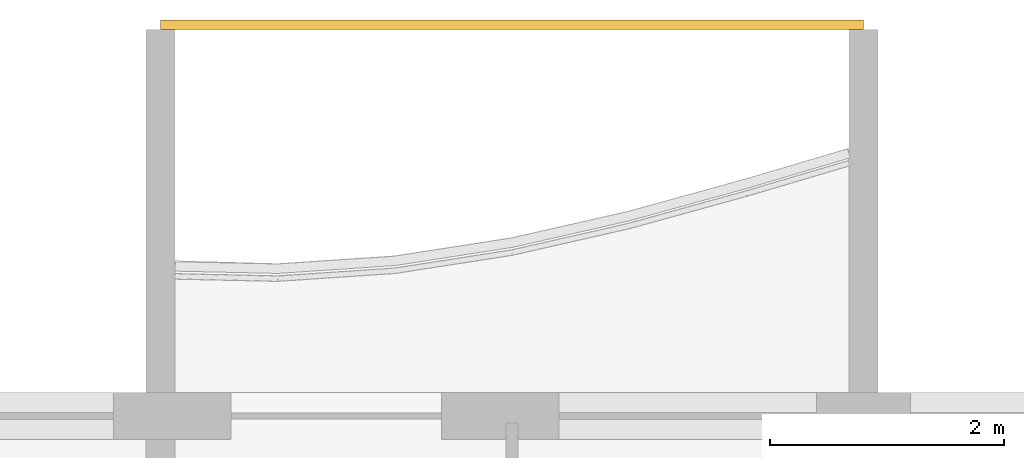
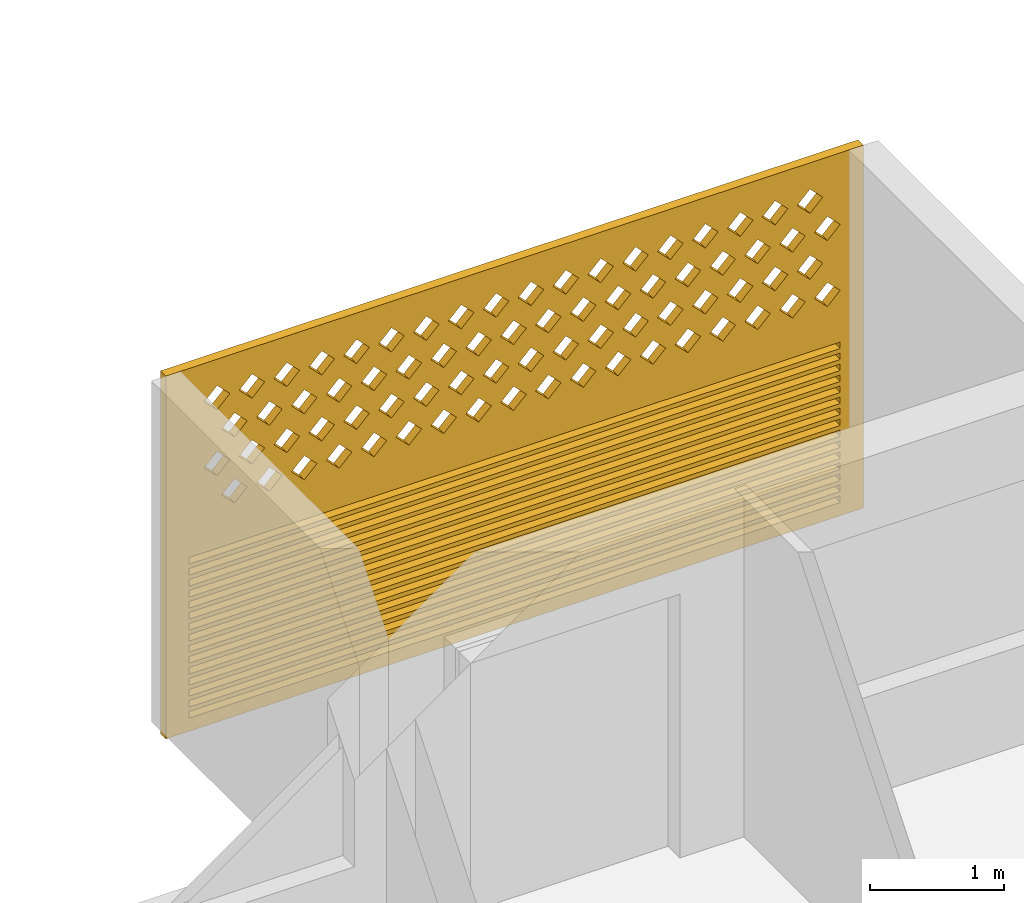
# One storey, part 20 of 28: 1 covering.
"""IFC4 building model written with IfcOpenShell, lengths in metres."""

from ifc_helpers import new_model, si_unit, direction, frame, origin, place, context, subcontext, project, spatial, polyline, outline, extrude, source, transform, mapped, material, material_profile, profile_set, type_object, element, save


model = new_model("IFC4")

# Units and contexts
model_context = context("Model", 3, precision=1e-05, world=origin(), true_north=direction((0.0, 1.0)))
body_context = subcontext(model_context, "Body", "Model", "MODEL_VIEW")
ifc_project = project(units=[si_unit("LENGTHUNIT", "METRE"), si_unit("AREAUNIT", "SQUARE_METRE"), si_unit("VOLUMEUNIT", "CUBIC_METRE"), si_unit("PLANEANGLEUNIT", "RADIAN"), si_unit("MASSUNIT", "GRAM", prefix="KILO")], contexts=[model_context])

# Site, building, storey
site_placement = place(None, origin())
site = spatial("IfcSite", under=ifc_project, at=site_placement, CompositionType="ELEMENT")
building_placement = place(site_placement, origin())
building = spatial("IfcBuilding", under=site, at=building_placement, Name="Poui Terraces", CompositionType="ELEMENT")
storey_placement = place(building_placement, frame((0.0, 0.0, 185.10009765625)))
storey = spatial("IfcBuildingStorey", under=building, at=storey_placement, Name="L51", CompositionType="ELEMENT", Elevation=185.10009765625)

# Covering
ifc_material = material(Name="Terracotta screen", Category="masonry")
ifc_material_profile = material_profile(ifc_material, outline(polyline([(-3.0, -1.64990234375), (3.0, -1.64990234375), (3.0, 1.64990234375), (-3.0, 1.64990234375), (-3.0, -1.64990234375)]), holes=[polyline([(-2.800048828125, 0.39990234375), (-2.68994140625, 0.2900390625), (-2.580078125, 0.39990234375), (-2.68994140625, 0.510009765625), (-2.800048828125, 0.39990234375)]), polyline([(-2.5, 0.39990234375), (-2.389892578125, 0.2900390625), (-2.280029296875, 0.39990234375), (-2.389892578125, 0.510009765625), (-2.5, 0.39990234375)]), polyline([(-2.199951171875, 0.39990234375), (-2.090087890625, 0.2900390625), (-1.97998046875, 0.39990234375), (-2.090087890625, 0.510009765625), (-2.199951171875, 0.39990234375)]), polyline([(-1.89990234375, 0.39990234375), (-1.7900390625, 0.2900390625), (-1.679931640625, 0.39990234375), (-1.7900390625, 0.510009765625), (-1.89990234375, 0.39990234375)]), polyline([(-1.60009765625, 0.39990234375), (-1.489990234375, 0.2900390625), (-1.3798828125, 0.39990234375), (-1.489990234375, 0.510009765625), (-1.60009765625, 0.39990234375)]), polyline([(-1.300048828125, 0.39990234375), (-1.18994140625, 0.2900390625), (-1.080078125, 0.39990234375), (-1.18994140625, 0.510009765625), (-1.300048828125, 0.39990234375)]), polyline([(-1.0, 0.39990234375), (-0.889892578125, 0.2900390625), (-0.780029296875, 0.39990234375), (-0.889892578125, 0.510009765625), (-1.0, 0.39990234375)]), polyline([(-0.699951171875, 0.39990234375), (-0.590087890625, 0.2900390625), (-0.47998046875, 0.39990234375), (-0.590087890625, 0.510009765625), (-0.699951171875, 0.39990234375)]), polyline([(-0.39990234375, 0.39990234375), (-0.2900390625, 0.2900390625), (-0.179931640625, 0.39990234375), (-0.2900390625, 0.510009765625), (-0.39990234375, 0.39990234375)]), polyline([(-0.10009765625, 0.39990234375), (0.010009765625, 0.2900390625), (0.1201171875, 0.39990234375), (0.010009765625, 0.510009765625), (-0.10009765625, 0.39990234375)]), polyline([(0.199951171875, 0.39990234375), (0.31005859375, 0.2900390625), (0.419921875, 0.39990234375), (0.31005859375, 0.510009765625), (0.199951171875, 0.39990234375)]), polyline([(0.5, 0.39990234375), (0.610107421875, 0.2900390625), (0.719970703125, 0.39990234375), (0.610107421875, 0.510009765625), (0.5, 0.39990234375)]), polyline([(0.800048828125, 0.39990234375), (0.909912109375, 0.2900390625), (1.02001953125, 0.39990234375), (0.909912109375, 0.510009765625), (0.800048828125, 0.39990234375)]), polyline([(1.10009765625, 0.39990234375), (1.2099609375, 0.2900390625), (1.320068359375, 0.39990234375), (1.2099609375, 0.510009765625), (1.10009765625, 0.39990234375)]), polyline([(1.39990234375, 0.39990234375), (1.510009765625, 0.2900390625), (1.6201171875, 0.39990234375), (1.510009765625, 0.510009765625), (1.39990234375, 0.39990234375)]), polyline([(1.699951171875, 0.39990234375), (1.81005859375, 0.2900390625), (1.919921875, 0.39990234375), (1.81005859375, 0.510009765625), (1.699951171875, 0.39990234375)]), polyline([(2.0, 0.39990234375), (2.110107421875, 0.2900390625), (2.219970703125, 0.39990234375), (2.110107421875, 0.510009765625), (2.0, 0.39990234375)]), polyline([(2.300048828125, 0.39990234375), (2.409912109375, 0.2900390625), (2.52001953125, 0.39990234375), (2.409912109375, 0.510009765625), (2.300048828125, 0.39990234375)]), polyline([(-2.64990234375, 0.699951171875), (-2.5400390625, 0.590087890625), (-2.429931640625, 0.699951171875), (-2.5400390625, 0.81005859375), (-2.64990234375, 0.699951171875)]), polyline([(-2.35009765625, 0.699951171875), (-2.239990234375, 0.590087890625), (-2.1298828125, 0.699951171875), (-2.239990234375, 0.81005859375), (-2.35009765625, 0.699951171875)]), polyline([(-2.050048828125, 0.699951171875), (-1.93994140625, 0.590087890625), (-1.830078125, 0.699951171875), (-1.93994140625, 0.81005859375), (-2.050048828125, 0.699951171875)]), polyline([(-1.75, 0.699951171875), (-1.639892578125, 0.590087890625), (-1.530029296875, 0.699951171875), (-1.639892578125, 0.81005859375), (-1.75, 0.699951171875)]), polyline([(-1.449951171875, 0.699951171875), (-1.340087890625, 0.590087890625), (-1.22998046875, 0.699951171875), (-1.340087890625, 0.81005859375), (-1.449951171875, 0.699951171875)]), polyline([(-1.14990234375, 0.699951171875), (-1.0400390625, 0.590087890625), (-0.929931640625, 0.699951171875), (-1.0400390625, 0.81005859375), (-1.14990234375, 0.699951171875)]), polyline([(-0.85009765625, 0.699951171875), (-0.739990234375, 0.590087890625), (-0.6298828125, 0.699951171875), (-0.739990234375, 0.81005859375), (-0.85009765625, 0.699951171875)]), polyline([(-0.550048828125, 0.699951171875), (-0.43994140625, 0.590087890625), (-0.330078125, 0.699951171875), (-0.43994140625, 0.81005859375), (-0.550048828125, 0.699951171875)]), polyline([(-0.25, 0.699951171875), (-0.139892578125, 0.590087890625), (-0.030029296875, 0.699951171875), (-0.139892578125, 0.81005859375), (-0.25, 0.699951171875)]), polyline([(0.050048828125, 0.699951171875), (0.159912109375, 0.590087890625), (0.27001953125, 0.699951171875), (0.159912109375, 0.81005859375), (0.050048828125, 0.699951171875)]), polyline([(0.35009765625, 0.699951171875), (0.4599609375, 0.590087890625), (0.570068359375, 0.699951171875), (0.4599609375, 0.81005859375), (0.35009765625, 0.699951171875)]), polyline([(0.64990234375, 0.699951171875), (0.760009765625, 0.590087890625), (0.8701171875, 0.699951171875), (0.760009765625, 0.81005859375), (0.64990234375, 0.699951171875)]), polyline([(0.949951171875, 0.699951171875), (1.06005859375, 0.590087890625), (1.169921875, 0.699951171875), (1.06005859375, 0.81005859375), (0.949951171875, 0.699951171875)]), polyline([(1.25, 0.699951171875), (1.360107421875, 0.590087890625), (1.469970703125, 0.699951171875), (1.360107421875, 0.81005859375), (1.25, 0.699951171875)]), polyline([(1.550048828125, 0.699951171875), (1.659912109375, 0.590087890625), (1.77001953125, 0.699951171875), (1.659912109375, 0.81005859375), (1.550048828125, 0.699951171875)]), polyline([(1.85009765625, 0.699951171875), (1.9599609375, 0.590087890625), (2.070068359375, 0.699951171875), (1.9599609375, 0.81005859375), (1.85009765625, 0.699951171875)]), polyline([(2.14990234375, 0.699951171875), (2.260009765625, 0.590087890625), (2.3701171875, 0.699951171875), (2.260009765625, 0.81005859375), (2.14990234375, 0.699951171875)]), polyline([(2.449951171875, 0.699951171875), (2.56005859375, 0.590087890625), (2.669921875, 0.699951171875), (2.56005859375, 0.81005859375), (2.449951171875, 0.699951171875)]), polyline([(-2.800048828125, 1.0), (-2.68994140625, 0.889892578125), (-2.580078125, 1.0), (-2.68994140625, 1.110107421875), (-2.800048828125, 1.0)]), polyline([(-2.5, 1.0), (-2.389892578125, 0.889892578125), (-2.280029296875, 1.0), (-2.389892578125, 1.110107421875), (-2.5, 1.0)]), polyline([(-2.199951171875, 1.0), (-2.090087890625, 0.889892578125), (-1.97998046875, 1.0), (-2.090087890625, 1.110107421875), (-2.199951171875, 1.0)]), polyline([(-1.89990234375, 1.0), (-1.7900390625, 0.889892578125), (-1.679931640625, 1.0), (-1.7900390625, 1.110107421875), (-1.89990234375, 1.0)]), polyline([(-1.60009765625, 1.0), (-1.489990234375, 0.889892578125), (-1.3798828125, 1.0), (-1.489990234375, 1.110107421875), (-1.60009765625, 1.0)]), polyline([(-1.300048828125, 1.0), (-1.18994140625, 0.889892578125), (-1.080078125, 1.0), (-1.18994140625, 1.110107421875), (-1.300048828125, 1.0)]), polyline([(-1.0, 1.0), (-0.889892578125, 0.889892578125), (-0.780029296875, 1.0), (-0.889892578125, 1.110107421875), (-1.0, 1.0)]), polyline([(-0.699951171875, 1.0), (-0.590087890625, 0.889892578125), (-0.47998046875, 1.0), (-0.590087890625, 1.110107421875), (-0.699951171875, 1.0)]), polyline([(-0.39990234375, 1.0), (-0.2900390625, 0.889892578125), (-0.179931640625, 1.0), (-0.2900390625, 1.110107421875), (-0.39990234375, 1.0)]), polyline([(-0.10009765625, 1.0), (0.010009765625, 0.889892578125), (0.1201171875, 1.0), (0.010009765625, 1.110107421875), (-0.10009765625, 1.0)]), polyline([(0.199951171875, 1.0), (0.31005859375, 0.889892578125), (0.419921875, 1.0), (0.31005859375, 1.110107421875), (0.199951171875, 1.0)]), polyline([(0.5, 1.0), (0.610107421875, 0.889892578125), (0.719970703125, 1.0), (0.610107421875, 1.110107421875), (0.5, 1.0)]), polyline([(0.800048828125, 1.0), (0.909912109375, 0.889892578125), (1.02001953125, 1.0), (0.909912109375, 1.110107421875), (0.800048828125, 1.0)]), polyline([(1.10009765625, 1.0), (1.2099609375, 0.889892578125), (1.320068359375, 1.0), (1.2099609375, 1.110107421875), (1.10009765625, 1.0)]), polyline([(1.39990234375, 1.0), (1.510009765625, 0.889892578125), (1.6201171875, 1.0), (1.510009765625, 1.110107421875), (1.39990234375, 1.0)]), polyline([(1.699951171875, 1.0), (1.81005859375, 0.889892578125), (1.919921875, 1.0), (1.81005859375, 1.110107421875), (1.699951171875, 1.0)]), polyline([(2.0, 1.0), (2.110107421875, 0.889892578125), (2.219970703125, 1.0), (2.110107421875, 1.110107421875), (2.0, 1.0)]), polyline([(2.300048828125, 1.0), (2.409912109375, 0.889892578125), (2.52001953125, 1.0), (2.409912109375, 1.110107421875), (2.300048828125, 1.0)]), polyline([(-2.64990234375, 1.300048828125), (-2.5400390625, 1.18994140625), (-2.429931640625, 1.300048828125), (-2.5400390625, 1.409912109375), (-2.64990234375, 1.300048828125)]), polyline([(-2.35009765625, 1.300048828125), (-2.239990234375, 1.18994140625), (-2.1298828125, 1.300048828125), (-2.239990234375, 1.409912109375), (-2.35009765625, 1.300048828125)]), polyline([(-2.050048828125, 1.300048828125), (-1.93994140625, 1.18994140625), (-1.830078125, 1.300048828125), (-1.93994140625, 1.409912109375), (-2.050048828125, 1.300048828125)]), polyline([(-1.75, 1.300048828125), (-1.639892578125, 1.18994140625), (-1.530029296875, 1.300048828125), (-1.639892578125, 1.409912109375), (-1.75, 1.300048828125)]), polyline([(-1.449951171875, 1.300048828125), (-1.340087890625, 1.18994140625), (-1.22998046875, 1.300048828125), (-1.340087890625, 1.409912109375), (-1.449951171875, 1.300048828125)]), polyline([(-1.14990234375, 1.300048828125), (-1.0400390625, 1.18994140625), (-0.929931640625, 1.300048828125), (-1.0400390625, 1.409912109375), (-1.14990234375, 1.300048828125)]), polyline([(-0.85009765625, 1.300048828125), (-0.739990234375, 1.18994140625), (-0.6298828125, 1.300048828125), (-0.739990234375, 1.409912109375), (-0.85009765625, 1.300048828125)]), polyline([(-0.550048828125, 1.300048828125), (-0.43994140625, 1.18994140625), (-0.330078125, 1.300048828125), (-0.43994140625, 1.409912109375), (-0.550048828125, 1.300048828125)]), polyline([(-0.25, 1.300048828125), (-0.139892578125, 1.18994140625), (-0.030029296875, 1.300048828125), (-0.139892578125, 1.409912109375), (-0.25, 1.300048828125)]), polyline([(0.050048828125, 1.300048828125), (0.159912109375, 1.18994140625), (0.27001953125, 1.300048828125), (0.159912109375, 1.409912109375), (0.050048828125, 1.300048828125)]), polyline([(0.35009765625, 1.300048828125), (0.4599609375, 1.18994140625), (0.570068359375, 1.300048828125), (0.4599609375, 1.409912109375), (0.35009765625, 1.300048828125)]), polyline([(0.64990234375, 1.300048828125), (0.760009765625, 1.18994140625), (0.8701171875, 1.300048828125), (0.760009765625, 1.409912109375), (0.64990234375, 1.300048828125)]), polyline([(0.949951171875, 1.300048828125), (1.06005859375, 1.18994140625), (1.169921875, 1.300048828125), (1.06005859375, 1.409912109375), (0.949951171875, 1.300048828125)]), polyline([(1.25, 1.300048828125), (1.360107421875, 1.18994140625), (1.469970703125, 1.300048828125), (1.360107421875, 1.409912109375), (1.25, 1.300048828125)]), polyline([(1.550048828125, 1.300048828125), (1.659912109375, 1.18994140625), (1.77001953125, 1.300048828125), (1.659912109375, 1.409912109375), (1.550048828125, 1.300048828125)]), polyline([(1.85009765625, 1.300048828125), (1.9599609375, 1.18994140625), (2.070068359375, 1.300048828125), (1.9599609375, 1.409912109375), (1.85009765625, 1.300048828125)]), polyline([(2.14990234375, 1.300048828125), (2.260009765625, 1.18994140625), (2.3701171875, 1.300048828125), (2.260009765625, 1.409912109375), (2.14990234375, 1.300048828125)]), polyline([(2.449951171875, 1.300048828125), (2.56005859375, 1.18994140625), (2.669921875, 1.300048828125), (2.56005859375, 1.409912109375), (2.449951171875, 1.300048828125)]), polyline([(-2.800048828125, -1.530029296875), (2.800048828125, -1.530029296875), (2.800048828125, -1.469970703125), (-2.800048828125, -1.469970703125), (-2.800048828125, -1.530029296875)]), polyline([(-2.800048828125, -1.429931640625), (2.800048828125, -1.429931640625), (2.800048828125, -1.3701171875), (-2.800048828125, -1.3701171875), (-2.800048828125, -1.429931640625)]), polyline([(-2.800048828125, -1.330078125), (2.800048828125, -1.330078125), (2.800048828125, -1.27001953125), (-2.800048828125, -1.27001953125), (-2.800048828125, -1.330078125)]), polyline([(-2.800048828125, -1.22998046875), (2.800048828125, -1.22998046875), (2.800048828125, -1.169921875), (-2.800048828125, -1.169921875), (-2.800048828125, -1.22998046875)]), polyline([(-2.800048828125, -1.1298828125), (2.800048828125, -1.1298828125), (2.800048828125, -1.070068359375), (-2.800048828125, -1.070068359375), (-2.800048828125, -1.1298828125)]), polyline([(-2.800048828125, -1.030029296875), (2.800048828125, -1.030029296875), (2.800048828125, -0.969970703125), (-2.800048828125, -0.969970703125), (-2.800048828125, -1.030029296875)]), polyline([(-2.800048828125, -0.929931640625), (2.800048828125, -0.929931640625), (2.800048828125, -0.8701171875), (-2.800048828125, -0.8701171875), (-2.800048828125, -0.929931640625)]), polyline([(-2.800048828125, -0.830078125), (2.800048828125, -0.830078125), (2.800048828125, -0.77001953125), (-2.800048828125, -0.77001953125), (-2.800048828125, -0.830078125)]), polyline([(-2.800048828125, -0.72998046875), (2.800048828125, -0.72998046875), (2.800048828125, -0.669921875), (-2.800048828125, -0.669921875), (-2.800048828125, -0.72998046875)]), polyline([(-2.800048828125, -0.6298828125), (2.800048828125, -0.6298828125), (2.800048828125, -0.570068359375), (-2.800048828125, -0.570068359375), (-2.800048828125, -0.6298828125)]), polyline([(-2.800048828125, -0.530029296875), (2.800048828125, -0.530029296875), (2.800048828125, -0.469970703125), (-2.800048828125, -0.469970703125), (-2.800048828125, -0.530029296875)]), polyline([(-2.800048828125, -0.429931640625), (2.800048828125, -0.429931640625), (2.800048828125, -0.3701171875), (-2.800048828125, -0.3701171875), (-2.800048828125, -0.429931640625)]), polyline([(-2.800048828125, -0.330078125), (2.800048828125, -0.330078125), (2.800048828125, -0.27001953125), (-2.800048828125, -0.27001953125), (-2.800048828125, -0.330078125)]), polyline([(-2.800048828125, -0.22998046875), (2.800048828125, -0.22998046875), (2.800048828125, -0.169921875), (-2.800048828125, -0.169921875), (-2.800048828125, -0.22998046875)]), polyline([(-2.800048828125, -0.1298828125), (2.800048828125, -0.1298828125), (2.800048828125, -0.070068359375), (-2.800048828125, -0.070068359375), (-2.800048828125, -0.1298828125)])]), Name="TERRACOTTA SCREEN AND JALOUSIE LOUVRE 6000X3300")
ifc_profile_set = profile_set([ifc_material_profile], Name="Terracotta screen")
covering_type = type_object("IfcCoveringType", Name="TERRACOTTA SCREEN AND JALOUSIE LOUVRE 6000X3300", PredefinedType="CLADDING", material=ifc_profile_set)
shared_shape = source(origin(), body_context, "Body", "SweptSolid", [
    extrude(outline(polyline([(-3.0, -1.64990234375), (3.0, -1.64990234375), (3.0, 1.64990234375), (-3.0, 1.64990234375), (-3.0, -1.64990234375)]), holes=[polyline([(-2.800048828125, 0.39990234375), (-2.68994140625, 0.2900390625), (-2.580078125, 0.39990234375), (-2.68994140625, 0.510009765625), (-2.800048828125, 0.39990234375)]), polyline([(-2.5, 0.39990234375), (-2.389892578125, 0.2900390625), (-2.280029296875, 0.39990234375), (-2.389892578125, 0.510009765625), (-2.5, 0.39990234375)]), polyline([(-2.199951171875, 0.39990234375), (-2.090087890625, 0.2900390625), (-1.97998046875, 0.39990234375), (-2.090087890625, 0.510009765625), (-2.199951171875, 0.39990234375)]), polyline([(-1.89990234375, 0.39990234375), (-1.7900390625, 0.2900390625), (-1.679931640625, 0.39990234375), (-1.7900390625, 0.510009765625), (-1.89990234375, 0.39990234375)]), polyline([(-1.60009765625, 0.39990234375), (-1.489990234375, 0.2900390625), (-1.3798828125, 0.39990234375), (-1.489990234375, 0.510009765625), (-1.60009765625, 0.39990234375)]), polyline([(-1.300048828125, 0.39990234375), (-1.18994140625, 0.2900390625), (-1.080078125, 0.39990234375), (-1.18994140625, 0.510009765625), (-1.300048828125, 0.39990234375)]), polyline([(-1.0, 0.39990234375), (-0.889892578125, 0.2900390625), (-0.780029296875, 0.39990234375), (-0.889892578125, 0.510009765625), (-1.0, 0.39990234375)]), polyline([(-0.699951171875, 0.39990234375), (-0.590087890625, 0.2900390625), (-0.47998046875, 0.39990234375), (-0.590087890625, 0.510009765625), (-0.699951171875, 0.39990234375)]), polyline([(-0.39990234375, 0.39990234375), (-0.2900390625, 0.2900390625), (-0.179931640625, 0.39990234375), (-0.2900390625, 0.510009765625), (-0.39990234375, 0.39990234375)]), polyline([(-0.10009765625, 0.39990234375), (0.010009765625, 0.2900390625), (0.1201171875, 0.39990234375), (0.010009765625, 0.510009765625), (-0.10009765625, 0.39990234375)]), polyline([(0.199951171875, 0.39990234375), (0.31005859375, 0.2900390625), (0.419921875, 0.39990234375), (0.31005859375, 0.510009765625), (0.199951171875, 0.39990234375)]), polyline([(0.5, 0.39990234375), (0.610107421875, 0.2900390625), (0.719970703125, 0.39990234375), (0.610107421875, 0.510009765625), (0.5, 0.39990234375)]), polyline([(0.800048828125, 0.39990234375), (0.909912109375, 0.2900390625), (1.02001953125, 0.39990234375), (0.909912109375, 0.510009765625), (0.800048828125, 0.39990234375)]), polyline([(1.10009765625, 0.39990234375), (1.2099609375, 0.2900390625), (1.320068359375, 0.39990234375), (1.2099609375, 0.510009765625), (1.10009765625, 0.39990234375)]), polyline([(1.39990234375, 0.39990234375), (1.510009765625, 0.2900390625), (1.6201171875, 0.39990234375), (1.510009765625, 0.510009765625), (1.39990234375, 0.39990234375)]), polyline([(1.699951171875, 0.39990234375), (1.81005859375, 0.2900390625), (1.919921875, 0.39990234375), (1.81005859375, 0.510009765625), (1.699951171875, 0.39990234375)]), polyline([(2.0, 0.39990234375), (2.110107421875, 0.2900390625), (2.219970703125, 0.39990234375), (2.110107421875, 0.510009765625), (2.0, 0.39990234375)]), polyline([(2.300048828125, 0.39990234375), (2.409912109375, 0.2900390625), (2.52001953125, 0.39990234375), (2.409912109375, 0.510009765625), (2.300048828125, 0.39990234375)]), polyline([(-2.64990234375, 0.699951171875), (-2.5400390625, 0.590087890625), (-2.429931640625, 0.699951171875), (-2.5400390625, 0.81005859375), (-2.64990234375, 0.699951171875)]), polyline([(-2.35009765625, 0.699951171875), (-2.239990234375, 0.590087890625), (-2.1298828125, 0.699951171875), (-2.239990234375, 0.81005859375), (-2.35009765625, 0.699951171875)]), polyline([(-2.050048828125, 0.699951171875), (-1.93994140625, 0.590087890625), (-1.830078125, 0.699951171875), (-1.93994140625, 0.81005859375), (-2.050048828125, 0.699951171875)]), polyline([(-1.75, 0.699951171875), (-1.639892578125, 0.590087890625), (-1.530029296875, 0.699951171875), (-1.639892578125, 0.81005859375), (-1.75, 0.699951171875)]), polyline([(-1.449951171875, 0.699951171875), (-1.340087890625, 0.590087890625), (-1.22998046875, 0.699951171875), (-1.340087890625, 0.81005859375), (-1.449951171875, 0.699951171875)]), polyline([(-1.14990234375, 0.699951171875), (-1.0400390625, 0.590087890625), (-0.929931640625, 0.699951171875), (-1.0400390625, 0.81005859375), (-1.14990234375, 0.699951171875)]), polyline([(-0.85009765625, 0.699951171875), (-0.739990234375, 0.590087890625), (-0.6298828125, 0.699951171875), (-0.739990234375, 0.81005859375), (-0.85009765625, 0.699951171875)]), polyline([(-0.550048828125, 0.699951171875), (-0.43994140625, 0.590087890625), (-0.330078125, 0.699951171875), (-0.43994140625, 0.81005859375), (-0.550048828125, 0.699951171875)]), polyline([(-0.25, 0.699951171875), (-0.139892578125, 0.590087890625), (-0.030029296875, 0.699951171875), (-0.139892578125, 0.81005859375), (-0.25, 0.699951171875)]), polyline([(0.050048828125, 0.699951171875), (0.159912109375, 0.590087890625), (0.27001953125, 0.699951171875), (0.159912109375, 0.81005859375), (0.050048828125, 0.699951171875)]), polyline([(0.35009765625, 0.699951171875), (0.4599609375, 0.590087890625), (0.570068359375, 0.699951171875), (0.4599609375, 0.81005859375), (0.35009765625, 0.699951171875)]), polyline([(0.64990234375, 0.699951171875), (0.760009765625, 0.590087890625), (0.8701171875, 0.699951171875), (0.760009765625, 0.81005859375), (0.64990234375, 0.699951171875)]), polyline([(0.949951171875, 0.699951171875), (1.06005859375, 0.590087890625), (1.169921875, 0.699951171875), (1.06005859375, 0.81005859375), (0.949951171875, 0.699951171875)]), polyline([(1.25, 0.699951171875), (1.360107421875, 0.590087890625), (1.469970703125, 0.699951171875), (1.360107421875, 0.81005859375), (1.25, 0.699951171875)]), polyline([(1.550048828125, 0.699951171875), (1.659912109375, 0.590087890625), (1.77001953125, 0.699951171875), (1.659912109375, 0.81005859375), (1.550048828125, 0.699951171875)]), polyline([(1.85009765625, 0.699951171875), (1.9599609375, 0.590087890625), (2.070068359375, 0.699951171875), (1.9599609375, 0.81005859375), (1.85009765625, 0.699951171875)]), polyline([(2.14990234375, 0.699951171875), (2.260009765625, 0.590087890625), (2.3701171875, 0.699951171875), (2.260009765625, 0.81005859375), (2.14990234375, 0.699951171875)]), polyline([(2.449951171875, 0.699951171875), (2.56005859375, 0.590087890625), (2.669921875, 0.699951171875), (2.56005859375, 0.81005859375), (2.449951171875, 0.699951171875)]), polyline([(-2.800048828125, 1.0), (-2.68994140625, 0.889892578125), (-2.580078125, 1.0), (-2.68994140625, 1.110107421875), (-2.800048828125, 1.0)]), polyline([(-2.5, 1.0), (-2.389892578125, 0.889892578125), (-2.280029296875, 1.0), (-2.389892578125, 1.110107421875), (-2.5, 1.0)]), polyline([(-2.199951171875, 1.0), (-2.090087890625, 0.889892578125), (-1.97998046875, 1.0), (-2.090087890625, 1.110107421875), (-2.199951171875, 1.0)]), polyline([(-1.89990234375, 1.0), (-1.7900390625, 0.889892578125), (-1.679931640625, 1.0), (-1.7900390625, 1.110107421875), (-1.89990234375, 1.0)]), polyline([(-1.60009765625, 1.0), (-1.489990234375, 0.889892578125), (-1.3798828125, 1.0), (-1.489990234375, 1.110107421875), (-1.60009765625, 1.0)]), polyline([(-1.300048828125, 1.0), (-1.18994140625, 0.889892578125), (-1.080078125, 1.0), (-1.18994140625, 1.110107421875), (-1.300048828125, 1.0)]), polyline([(-1.0, 1.0), (-0.889892578125, 0.889892578125), (-0.780029296875, 1.0), (-0.889892578125, 1.110107421875), (-1.0, 1.0)]), polyline([(-0.699951171875, 1.0), (-0.590087890625, 0.889892578125), (-0.47998046875, 1.0), (-0.590087890625, 1.110107421875), (-0.699951171875, 1.0)]), polyline([(-0.39990234375, 1.0), (-0.2900390625, 0.889892578125), (-0.179931640625, 1.0), (-0.2900390625, 1.110107421875), (-0.39990234375, 1.0)]), polyline([(-0.10009765625, 1.0), (0.010009765625, 0.889892578125), (0.1201171875, 1.0), (0.010009765625, 1.110107421875), (-0.10009765625, 1.0)]), polyline([(0.199951171875, 1.0), (0.31005859375, 0.889892578125), (0.419921875, 1.0), (0.31005859375, 1.110107421875), (0.199951171875, 1.0)]), polyline([(0.5, 1.0), (0.610107421875, 0.889892578125), (0.719970703125, 1.0), (0.610107421875, 1.110107421875), (0.5, 1.0)]), polyline([(0.800048828125, 1.0), (0.909912109375, 0.889892578125), (1.02001953125, 1.0), (0.909912109375, 1.110107421875), (0.800048828125, 1.0)]), polyline([(1.10009765625, 1.0), (1.2099609375, 0.889892578125), (1.320068359375, 1.0), (1.2099609375, 1.110107421875), (1.10009765625, 1.0)]), polyline([(1.39990234375, 1.0), (1.510009765625, 0.889892578125), (1.6201171875, 1.0), (1.510009765625, 1.110107421875), (1.39990234375, 1.0)]), polyline([(1.699951171875, 1.0), (1.81005859375, 0.889892578125), (1.919921875, 1.0), (1.81005859375, 1.110107421875), (1.699951171875, 1.0)]), polyline([(2.0, 1.0), (2.110107421875, 0.889892578125), (2.219970703125, 1.0), (2.110107421875, 1.110107421875), (2.0, 1.0)]), polyline([(2.300048828125, 1.0), (2.409912109375, 0.889892578125), (2.52001953125, 1.0), (2.409912109375, 1.110107421875), (2.300048828125, 1.0)]), polyline([(-2.64990234375, 1.300048828125), (-2.5400390625, 1.18994140625), (-2.429931640625, 1.300048828125), (-2.5400390625, 1.409912109375), (-2.64990234375, 1.300048828125)]), polyline([(-2.35009765625, 1.300048828125), (-2.239990234375, 1.18994140625), (-2.1298828125, 1.300048828125), (-2.239990234375, 1.409912109375), (-2.35009765625, 1.300048828125)]), polyline([(-2.050048828125, 1.300048828125), (-1.93994140625, 1.18994140625), (-1.830078125, 1.300048828125), (-1.93994140625, 1.409912109375), (-2.050048828125, 1.300048828125)]), polyline([(-1.75, 1.300048828125), (-1.639892578125, 1.18994140625), (-1.530029296875, 1.300048828125), (-1.639892578125, 1.409912109375), (-1.75, 1.300048828125)]), polyline([(-1.449951171875, 1.300048828125), (-1.340087890625, 1.18994140625), (-1.22998046875, 1.300048828125), (-1.340087890625, 1.409912109375), (-1.449951171875, 1.300048828125)]), polyline([(-1.14990234375, 1.300048828125), (-1.0400390625, 1.18994140625), (-0.929931640625, 1.300048828125), (-1.0400390625, 1.409912109375), (-1.14990234375, 1.300048828125)]), polyline([(-0.85009765625, 1.300048828125), (-0.739990234375, 1.18994140625), (-0.6298828125, 1.300048828125), (-0.739990234375, 1.409912109375), (-0.85009765625, 1.300048828125)]), polyline([(-0.550048828125, 1.300048828125), (-0.43994140625, 1.18994140625), (-0.330078125, 1.300048828125), (-0.43994140625, 1.409912109375), (-0.550048828125, 1.300048828125)]), polyline([(-0.25, 1.300048828125), (-0.139892578125, 1.18994140625), (-0.030029296875, 1.300048828125), (-0.139892578125, 1.409912109375), (-0.25, 1.300048828125)]), polyline([(0.050048828125, 1.300048828125), (0.159912109375, 1.18994140625), (0.27001953125, 1.300048828125), (0.159912109375, 1.409912109375), (0.050048828125, 1.300048828125)]), polyline([(0.35009765625, 1.300048828125), (0.4599609375, 1.18994140625), (0.570068359375, 1.300048828125), (0.4599609375, 1.409912109375), (0.35009765625, 1.300048828125)]), polyline([(0.64990234375, 1.300048828125), (0.760009765625, 1.18994140625), (0.8701171875, 1.300048828125), (0.760009765625, 1.409912109375), (0.64990234375, 1.300048828125)]), polyline([(0.949951171875, 1.300048828125), (1.06005859375, 1.18994140625), (1.169921875, 1.300048828125), (1.06005859375, 1.409912109375), (0.949951171875, 1.300048828125)]), polyline([(1.25, 1.300048828125), (1.360107421875, 1.18994140625), (1.469970703125, 1.300048828125), (1.360107421875, 1.409912109375), (1.25, 1.300048828125)]), polyline([(1.550048828125, 1.300048828125), (1.659912109375, 1.18994140625), (1.77001953125, 1.300048828125), (1.659912109375, 1.409912109375), (1.550048828125, 1.300048828125)]), polyline([(1.85009765625, 1.300048828125), (1.9599609375, 1.18994140625), (2.070068359375, 1.300048828125), (1.9599609375, 1.409912109375), (1.85009765625, 1.300048828125)]), polyline([(2.14990234375, 1.300048828125), (2.260009765625, 1.18994140625), (2.3701171875, 1.300048828125), (2.260009765625, 1.409912109375), (2.14990234375, 1.300048828125)]), polyline([(2.449951171875, 1.300048828125), (2.56005859375, 1.18994140625), (2.669921875, 1.300048828125), (2.56005859375, 1.409912109375), (2.449951171875, 1.300048828125)]), polyline([(-2.800048828125, -1.530029296875), (2.800048828125, -1.530029296875), (2.800048828125, -1.469970703125), (-2.800048828125, -1.469970703125), (-2.800048828125, -1.530029296875)]), polyline([(-2.800048828125, -1.429931640625), (2.800048828125, -1.429931640625), (2.800048828125, -1.3701171875), (-2.800048828125, -1.3701171875), (-2.800048828125, -1.429931640625)]), polyline([(-2.800048828125, -1.330078125), (2.800048828125, -1.330078125), (2.800048828125, -1.27001953125), (-2.800048828125, -1.27001953125), (-2.800048828125, -1.330078125)]), polyline([(-2.800048828125, -1.22998046875), (2.800048828125, -1.22998046875), (2.800048828125, -1.169921875), (-2.800048828125, -1.169921875), (-2.800048828125, -1.22998046875)]), polyline([(-2.800048828125, -1.1298828125), (2.800048828125, -1.1298828125), (2.800048828125, -1.070068359375), (-2.800048828125, -1.070068359375), (-2.800048828125, -1.1298828125)]), polyline([(-2.800048828125, -1.030029296875), (2.800048828125, -1.030029296875), (2.800048828125, -0.969970703125), (-2.800048828125, -0.969970703125), (-2.800048828125, -1.030029296875)]), polyline([(-2.800048828125, -0.929931640625), (2.800048828125, -0.929931640625), (2.800048828125, -0.8701171875), (-2.800048828125, -0.8701171875), (-2.800048828125, -0.929931640625)]), polyline([(-2.800048828125, -0.830078125), (2.800048828125, -0.830078125), (2.800048828125, -0.77001953125), (-2.800048828125, -0.77001953125), (-2.800048828125, -0.830078125)]), polyline([(-2.800048828125, -0.72998046875), (2.800048828125, -0.72998046875), (2.800048828125, -0.669921875), (-2.800048828125, -0.669921875), (-2.800048828125, -0.72998046875)]), polyline([(-2.800048828125, -0.6298828125), (2.800048828125, -0.6298828125), (2.800048828125, -0.570068359375), (-2.800048828125, -0.570068359375), (-2.800048828125, -0.6298828125)]), polyline([(-2.800048828125, -0.530029296875), (2.800048828125, -0.530029296875), (2.800048828125, -0.469970703125), (-2.800048828125, -0.469970703125), (-2.800048828125, -0.530029296875)]), polyline([(-2.800048828125, -0.429931640625), (2.800048828125, -0.429931640625), (2.800048828125, -0.3701171875), (-2.800048828125, -0.3701171875), (-2.800048828125, -0.429931640625)]), polyline([(-2.800048828125, -0.330078125), (2.800048828125, -0.330078125), (2.800048828125, -0.27001953125), (-2.800048828125, -0.27001953125), (-2.800048828125, -0.330078125)]), polyline([(-2.800048828125, -0.22998046875), (2.800048828125, -0.22998046875), (2.800048828125, -0.169921875), (-2.800048828125, -0.169921875), (-2.800048828125, -0.22998046875)]), polyline([(-2.800048828125, -0.1298828125), (2.800048828125, -0.1298828125), (2.800048828125, -0.070068359375), (-2.800048828125, -0.070068359375), (-2.800048828125, -0.1298828125)])]), origin(), (0.0, 0.0, 1.0), 0.080078125),
])
covering_placement = place(storey_placement, frame((45.0, 44.5, 1.449951171875), z_axis=(0.0, 1.0, 0.0), x_axis=(-1.0, 0.0, 0.0)))
element("IfcCovering", 1, at=covering_placement, inside=storey, type_object=covering_type, Name="SOLAR SCREEN AND JALOUSIE LOUVRE", PredefinedType="CLADDING", context=body_context, shape_type="MappedRepresentation", body=[
    mapped(shared_shape, transform((0.0, 0.0, 0.0))),
])

save(model, "model.ifc")
